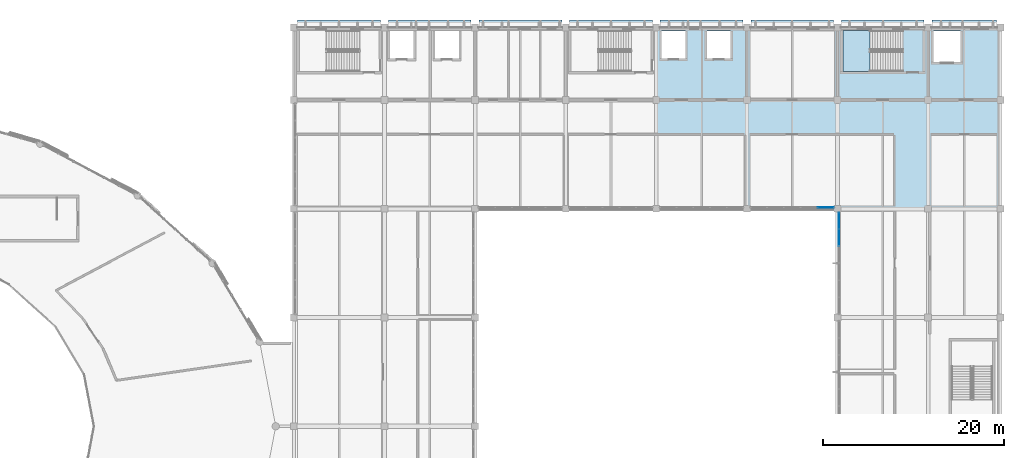
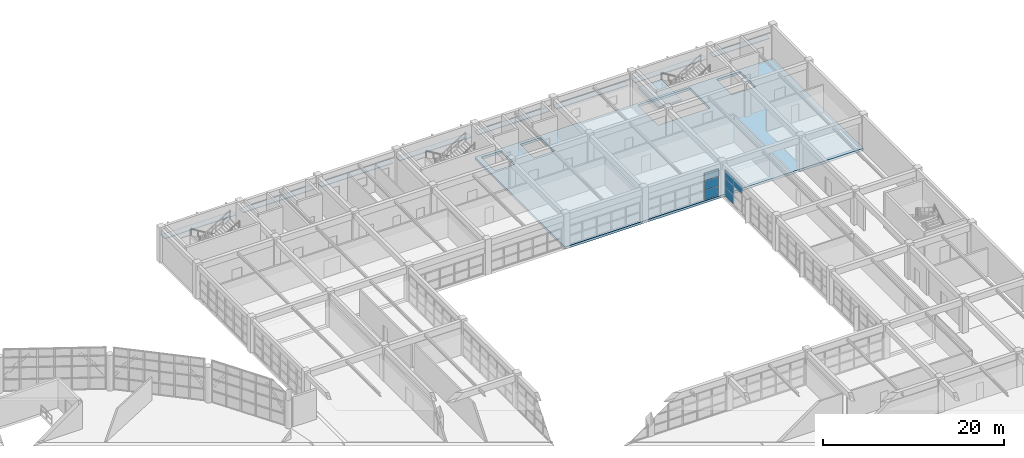
# One storey, part 78 of 109: 15 plates, 2 slabs, 3 elements without a shape of their own.
"""IFC4 building model written with IfcOpenShell, lengths in metres."""

from ifc_helpers import new_model, si_unit, direction, frame, origin, origin_2d, place, context, subcontext, project, spatial, polyline, rectangle, outline, extrude, material, layer, layer_set, type_object, element, aggregate, save


model = new_model("IFC4")

# Units and contexts
model_context = context("Model", 3, precision=1e-05, world=origin(), true_north=direction((0.0, 1.0)))
body_context = subcontext(model_context, "Body", "Model", "MODEL_VIEW")
ifc_project = project(units=[si_unit("LENGTHUNIT", "METRE"), si_unit("AREAUNIT", "SQUARE_METRE"), si_unit("VOLUMEUNIT", "CUBIC_METRE"), si_unit("PLANEANGLEUNIT", "RADIAN"), si_unit("MASSUNIT", "GRAM", prefix="KILO")], contexts=[model_context])

# Site, building, storey
site_placement = place(None, origin())
site = spatial("IfcSite", under=ifc_project, at=site_placement, CompositionType="ELEMENT")
building_placement = place(site_placement, origin())
building = spatial("IfcBuilding", under=site, at=building_placement, Name="Kivolera Central Railway Station", CompositionType="ELEMENT")
storey_placement = place(building_placement, frame((0.0, 0.0, 9.60009765625)))
storey = spatial("IfcBuildingStorey", under=building, at=storey_placement, Name="L02", CompositionType="ELEMENT", Elevation=9.60009765625)

# Curtain wall, plates
ifc_material_1 = material(Name="Anodised aluminium", Category="aluminium")
ifc_layer_1 = layer(ifc_material_1, 0.179931640625, Name="Anodised aluminium")
ifc_layer_set_1 = layer_set([ifc_layer_1], Name="Anodised aluminium")
curtain_wall_type_1 = type_object("IfcCurtainWallType", Name="CW-SYS-28", PredefinedType="NOTDEFINED", material=ifc_layer_set_1)
curtain_wall_1_placement = place(storey_placement, origin())
curtain_wall_1 = element("IfcCurtainWall", 1, at=curtain_wall_1_placement, inside=storey, type_object=curtain_wall_type_1, Name="L02 Curtain Wall CW-L02-CRTE-J", PredefinedType="NOTDEFINED")
ifc_material_2 = material(Name="Double low-E laminated glass", Category="glass")
ifc_layer_2 = layer(ifc_material_2, 0.030029296875, Name="Double low-E laminated glass")
ifc_layer_set_2 = layer_set([ifc_layer_2], Name="Double low-E laminated glass")
plate_type_1 = type_object("IfcPlateType", Name="CWP-GLZ-2", PredefinedType="CURTAIN_PANEL", material=ifc_layer_set_2)
plate_1_placement = place(storey_placement, frame((178.153076171875, 110.81494140625, 2.57861328125), z_axis=(0.0, 0.0, 1.0), x_axis=(0.0, 1.0, 0.0)))
plate_1 = element("IfcPlate", 2, at=plate_1_placement, type_object=plate_type_1, Name="CW-28 panel 5.3", PredefinedType="CURTAIN_PANEL", context=body_context, shape_type="SweptSolid", body=[
    extrude(rectangle(XDim=1.840576171875, YDim=0.030029296875, at=origin_2d()), origin(), (0.0, 0.0, 1.0), 1.031494140625),
])
plate_2_placement = place(storey_placement, frame((178.153076171875, 112.6767578125, 0.0478515625), z_axis=(0.0, 0.0, 1.0), x_axis=(0.0, 1.0, 0.0)))
plate_2 = element("IfcPlate", 3, at=plate_2_placement, type_object=plate_type_1, Name="CW-28 panel 6.1", PredefinedType="CURTAIN_PANEL", context=body_context, shape_type="SweptSolid", body=[
    extrude(rectangle(XDim=1.810546875, YDim=0.030029296875, at=origin_2d()), origin(), (0.0, 0.0, 1.0), 1.21435546875),
])
plate_3_placement = place(storey_placement, frame((178.153076171875, 112.6767578125, 1.29833984375), z_axis=(0.0, 0.0, 1.0), x_axis=(0.0, 1.0, 0.0)))
plate_3 = element("IfcPlate", 4, at=plate_3_placement, type_object=plate_type_1, Name="CW-28 panel 6.2", PredefinedType="CURTAIN_PANEL", context=body_context, shape_type="SweptSolid", body=[
    extrude(rectangle(XDim=1.810546875, YDim=0.030029296875, at=origin_2d()), origin(), (0.0, 0.0, 1.0), 1.244384765625),
])
plate_4_placement = place(storey_placement, frame((178.153076171875, 112.6767578125, 2.57861328125), z_axis=(0.0, 0.0, 1.0), x_axis=(0.0, 1.0, 0.0)))
plate_4 = element("IfcPlate", 5, at=plate_4_placement, type_object=plate_type_1, Name="CW-28 panel 6.3", PredefinedType="CURTAIN_PANEL", context=body_context, shape_type="SweptSolid", body=[
    extrude(rectangle(XDim=1.810546875, YDim=0.030029296875, at=origin_2d()), origin(), (0.0, 0.0, 1.0), 1.031494140625),
])
aggregate(curtain_wall_1, [plate_1, plate_2, plate_3, plate_4])

ifc_layer_3 = layer(ifc_material_1, 0.179931640625, Name="Anodised aluminium")
ifc_layer_set_3 = layer_set([ifc_layer_3], Name="Anodised aluminium")
curtain_wall_type_2 = type_object("IfcCurtainWallType", Name="CW-SYS-27", PredefinedType="NOTDEFINED", material=ifc_layer_set_3)
curtain_wall_2_placement = place(storey_placement, origin())
curtain_wall_2 = element("IfcCurtainWall", 6, at=curtain_wall_2_placement, inside=storey, type_object=curtain_wall_type_2, Name="L02 Curtain Wall CW-L02-CRTN-168", PredefinedType="NOTDEFINED")
ifc_layer_4 = layer(ifc_material_2, 0.0419921875, Name="Double low-E laminated glass")
ifc_layer_set_4 = layer_set([ifc_layer_4], Name="Double low-E laminated glass")
plate_type_2 = type_object("IfcPlateType", Name="CWP-GLZ-5", PredefinedType="CURTAIN_PANEL", material=ifc_layer_set_4)
plate_5_placement = place(storey_placement, frame((176.68896484375, 114.153076171875, 0.0478515625), z_axis=(0.0, 0.0, 1.0), x_axis=(-1.0, 0.0, 0.0)))
plate_5 = element("IfcPlate", 7, at=plate_5_placement, type_object=plate_type_2, Name="CW-27 panel 1.1", PredefinedType="CURTAIN_PANEL", context=body_context, shape_type="SweptSolid", body=[
    extrude(rectangle(XDim=1.785888671875, YDim=0.0419921875, at=origin_2d()), origin(), (0.0, 0.0, 1.0), 1.21435546875),
])
plate_6_placement = place(storey_placement, frame((176.68896484375, 114.153076171875, 1.29833984375), z_axis=(0.0, 0.0, 1.0), x_axis=(-1.0, 0.0, 0.0)))
plate_6 = element("IfcPlate", 8, at=plate_6_placement, type_object=plate_type_2, Name="CW-27 panel 1.2", PredefinedType="CURTAIN_PANEL", context=body_context, shape_type="SweptSolid", body=[
    extrude(rectangle(XDim=1.785888671875, YDim=0.0419921875, at=origin_2d()), origin(), (0.0, 0.0, 1.0), 1.244384765625),
])
plate_7_placement = place(storey_placement, frame((176.68896484375, 114.153076171875, 2.57861328125), z_axis=(0.0, 0.0, 1.0), x_axis=(-1.0, 0.0, 0.0)))
plate_7 = element("IfcPlate", 9, at=plate_7_placement, type_object=plate_type_2, Name="CW-27 panel 1.3", PredefinedType="CURTAIN_PANEL", context=body_context, shape_type="SweptSolid", body=[
    extrude(rectangle(XDim=1.785888671875, YDim=0.0419921875, at=origin_2d()), origin(), (0.0, 0.0, 1.0), 1.031494140625),
])
aggregate(curtain_wall_2, [plate_5, plate_6, plate_7])

# Plates
ifc_layer_5 = layer(ifc_material_1, 0.094970703125, Name="Anodised aluminium")
ifc_layer_set_5 = layer_set([ifc_layer_5], Name="Anodised aluminium")
plate_type_3 = type_object("IfcPlateType", Name="PLT-EGGHOOD-95", PredefinedType="SHEET", material=ifc_layer_set_5)
for number, where, z_axis, x_axis, name in (
    (10, (123.0, 134.4130859375, 2.7724609375), (0.0, 0.0, 1.0), (1.0, 0.0, 0.0), "L02 North Afro-Modernist Monsoon Sun-Hood 1"),
    (11, (133.0, 134.4130859375, 2.7724609375), (0.0, 0.0, 1.0), (1.0, 0.0, 0.0), "L02 North Afro-Modernist Monsoon Sun-Hood 2"),
    (12, (143.0, 134.4130859375, 2.7724609375), (0.0, 0.0, 1.0), (1.0, 0.0, 0.0), "L02 North Afro-Modernist Monsoon Sun-Hood 3"),
    (13, (153.0, 134.4130859375, 2.7724609375), (0.0, 0.0, 1.0), (1.0, 0.0, 0.0), "L02 North Afro-Modernist Monsoon Sun-Hood 4"),
    (14, (163.0, 134.4130859375, 2.7724609375), (0.0, 0.0, 1.0), (1.0, 0.0, 0.0), "L02 North Afro-Modernist Monsoon Sun-Hood 5"),
    (15, (173.0, 134.4130859375, 2.7724609375), (0.0, 0.0, 1.0), (1.0, 0.0, 0.0), "L02 North Afro-Modernist Monsoon Sun-Hood 6"),
    (16, (183.0, 134.4130859375, 2.7724609375), (0.0, 0.0, 1.0), (1.0, 0.0, 0.0), "L02 North Afro-Modernist Monsoon Sun-Hood 7"),
):
    element("IfcPlate", number, at=place(storey_placement, frame(where, z_axis=z_axis, x_axis=x_axis)), inside=storey, type_object=plate_type_3, Name=name, PredefinedType="SHEET", context=body_context, shape_type="SweptSolid", body=[
        extrude(rectangle(XDim=9.139892578125, YDim=0.85009765625, at=origin_2d()), origin(), (0.0, 0.0, 1.0), 0.094970703125),
    ])
plate_8_placement = place(storey_placement, frame((192.0, 134.4130859375, 2.7724609375), z_axis=(0.0, 0.0, 1.0), x_axis=(1.0, 0.0, 0.0)))
element("IfcPlate", 17, at=plate_8_placement, inside=storey, type_object=plate_type_3, Name="L02 North Afro-Modernist Monsoon Sun-Hood 8", PredefinedType="SHEET", context=body_context, shape_type="SweptSolid", body=[
    extrude(rectangle(XDim=7.139892578125, YDim=0.85009765625, at=origin_2d()), origin(), (0.0, 0.0, 1.0), 0.094970703125),
])

# Slab
ifc_material_3 = material(Name="Concrete C40/50", Category="concrete")
ifc_layer_6 = layer(ifc_material_3, 0.320068359375, Name="Concrete C40/50")
ifc_layer_set_6 = layer_set([ifc_layer_6], Name="Concrete C40/50")
slab_type_1 = type_object("IfcSlabType", Name="SLB-FLR-320", PredefinedType="FLOOR", material=ifc_layer_set_6)
slab_1_placement = place(storey_placement, frame((0.0, 0.0, -0.320068359375)))
element("IfcSlab", 18, at=slab_1_placement, inside=storey, type_object=slab_type_1, Name="L02 Wing NORTH-E Floor Slab", PredefinedType="FLOOR", context=body_context, shape_type="SweptSolid", body=[
    extrude(outline(polyline([(158.0, 114.0), (196.0, 114.0), (196.0, 134.0), (158.0, 134.0), (158.0, 114.0)]), holes=[polyline([(185.239990234375, 133.679931640625), (178.60009765625, 133.679931640625), (178.60009765625, 129.179931640625), (185.239990234375, 129.179931640625), (185.239990234375, 133.679931640625)]), polyline([(158.60009765625, 130.60009765625), (161.199951171875, 130.60009765625), (161.199951171875, 133.60009765625), (158.60009765625, 133.60009765625), (158.60009765625, 130.60009765625)]), polyline([(163.60009765625, 130.60009765625), (166.199951171875, 130.60009765625), (166.199951171875, 133.60009765625), (163.60009765625, 133.60009765625), (163.60009765625, 130.60009765625)]), polyline([(188.60009765625, 130.199951171875), (191.60009765625, 130.199951171875), (191.60009765625, 133.60009765625), (188.60009765625, 133.60009765625), (188.60009765625, 130.199951171875)])]), origin(), (0.0, 0.0, 1.0), 0.320068359375),
])

# Stair, slab
stair_type = type_object("IfcStairType", Name="STR-2160-28", PredefinedType="HALF_TURN_STAIR", material=ifc_material_3)
stair_placement = place(storey_placement, origin())
stair = element("IfcStair", 19, at=stair_placement, inside=storey, type_object=stair_type, Name="L02 Protected Exit Stair ST3", PredefinedType="HALF_TURN_STAIR")
ifc_layer_7 = layer(ifc_material_3, 0.199951171875, Name="Concrete C40/50")
ifc_layer_set_7 = layer_set([ifc_layer_7], Name="Concrete C40/50")
slab_type_2 = type_object("IfcSlabType", Name="SLB-LND-200", PredefinedType="LANDING", material=ifc_layer_set_7)
slab_2_placement = place(storey_placement, frame((0.0, 0.0, 2.199951171875)))
slab_2 = element("IfcSlab", 20, at=slab_2_placement, type_object=slab_type_2, Name="ST3 landing 1", PredefinedType="LANDING", context=body_context, shape_type="SweptSolid", body=[
    extrude(outline(polyline([(181.60009765625, 133.679931640625), (178.60009765625, 133.679931640625), (178.60009765625, 129.179931640625), (181.60009765625, 129.179931640625), (181.60009765625, 133.679931640625)])), origin(), (0.0, 0.0, 1.0), 0.199951171875),
])
aggregate(stair, [slab_2])

save(model, "model.ifc")
